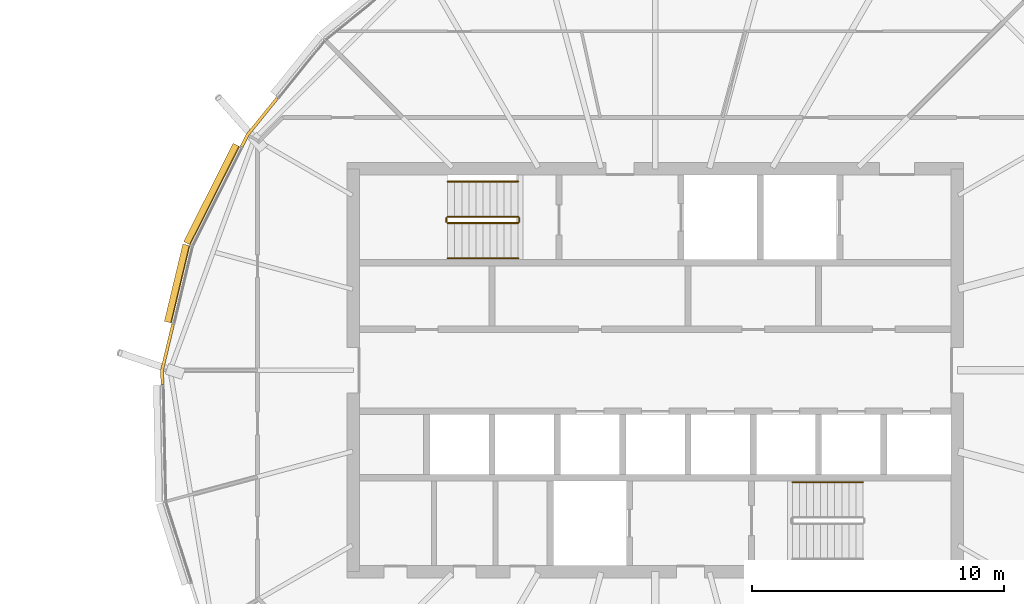
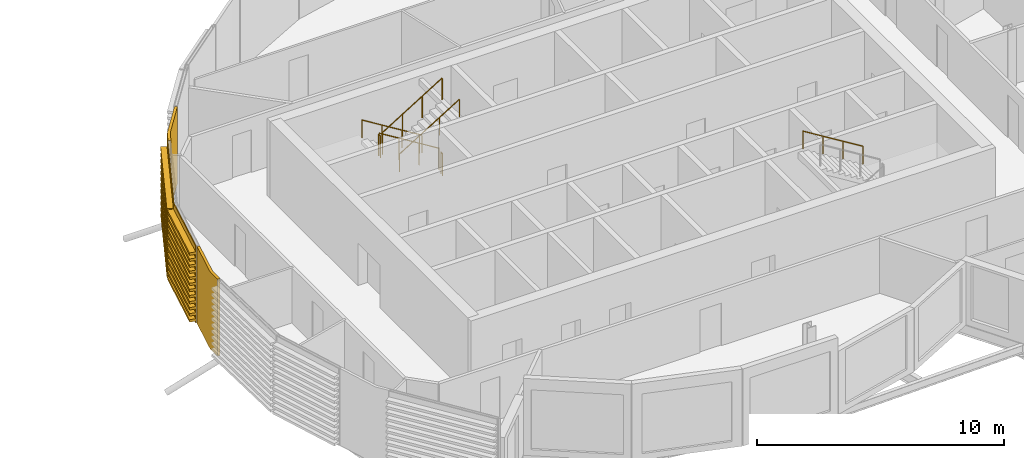
# One storey, part 33 of 35: 7 railings, 4 coverings.
"""IFC4 building model written with IfcOpenShell, lengths in metres."""

from ifc_helpers import new_model, si_unit, direction, frame, origin, origin_2d, place, context, subcontext, project, spatial, polyline, circle, outline, extrude, material, layer, layer_set, material_profile, profile_set, type_object, element, save


model = new_model("IFC4")

# Units and contexts
model_context = context("Model", 3, precision=1e-05, world=origin(), true_north=direction((0.0, 1.0)))
body_context = subcontext(model_context, "Body", "Model", "MODEL_VIEW")
ifc_project = project(units=[si_unit("LENGTHUNIT", "METRE"), si_unit("AREAUNIT", "SQUARE_METRE"), si_unit("VOLUMEUNIT", "CUBIC_METRE"), si_unit("PLANEANGLEUNIT", "RADIAN"), si_unit("MASSUNIT", "GRAM", prefix="KILO")], contexts=[model_context])

# Site, building, storey
site_placement = place(None, origin())
site = spatial("IfcSite", under=ifc_project, at=site_placement, CompositionType="ELEMENT")
building_placement = place(site_placement, origin())
building = spatial("IfcBuilding", under=site, at=building_placement, Name="Rimbun Link Towers", CompositionType="ELEMENT")
storey_placement = place(building_placement, frame((0.0, 0.0, 225.699951171875)))
storey = spatial("IfcBuildingStorey", under=building, at=storey_placement, Name="L55", CompositionType="ELEMENT", Elevation=225.699951171875)

# Coverings
ifc_material_1 = material(Name="Terracotta", Category="masonry")
ifc_layer = layer(ifc_material_1, 0.1201171875)
ifc_layer_set = layer_set([ifc_layer], Name="LINK PIER terracotta cladding 120")
covering_type_1 = type_object("IfcCoveringType", Name="LINK PIER terracotta cladding 120", PredefinedType="CLADDING", material=ifc_layer_set)
covering_1_placement = place(storey_placement, origin())
element("IfcCovering", 1, at=covering_1_placement, inside=storey, type_object=covering_type_1, Name="LINK PIER cladding", PredefinedType="CLADDING", context=body_context, shape_type="SweptSolid", body=[
    extrude(outline(polyline([(15.367431640625, 8.85888671875), (15.600830078125, 9.32373046875), (16.77734375, 10.777099609375), (16.68408203125, 10.852783203125), (15.49951171875, 9.38916015625), (15.26025390625, 8.912841796875), (15.367431640625, 8.85888671875)])), origin(), (0.0, 0.0, 1.0), 3.800048828125),
])
covering_2_placement = place(storey_placement, origin())
element("IfcCovering", 2, at=covering_2_placement, inside=storey, type_object=covering_type_1, Name="LINK PIER cladding", PredefinedType="CLADDING", context=body_context, shape_type="SweptSolid", body=[
    extrude(outline(polyline([(12.224609375, -0.56982421875), (12.212646484375, 0.0), (12.647705078125, 1.818603515625), (12.531005859375, 1.8466796875), (12.09228515625, 0.012939453125), (12.104736328125, -0.572509765625), (12.224609375, -0.56982421875)])), origin(), (0.0, 0.0, 1.0), 3.800048828125),
])

# Railings
ifc_material_2 = material(Name="Stainless steel grade 316", Category="steel")
railing_type_1 = type_object("IfcRailingType", Name="Stair guard", PredefinedType="GUARDRAIL", material=ifc_material_2)
railing_1_placement = place(storey_placement, frame((26.300048828125, 6.10009765625, 0.1728515625)))
element("IfcRailing", 3, at=railing_1_placement, inside=storey, type_object=railing_type_1, Name="L55 ST3 stair guard 1", PredefinedType="GUARDRAIL", context=body_context, shape_type="SweptSolid", body=[
    extrude(circle(Radius=0.02392578125, at=origin_2d()), frame((0.0, 0.0, 1.076171875), z_axis=(-0.851089632645, 0.0, 0.525020415988), x_axis=(0.0, -1.0, 0.0)), (0.0, 0.0, 1.0), 3.2900390625),
    extrude(circle(Radius=0.02099609375, at=origin_2d()), origin(), (0.0, 0.0, 1.0), 1.052001953125),
    extrude(circle(Radius=0.02099609375, at=origin_2d()), frame((-0.933349609375, 0.0, 0.57568359375)), (0.0, 0.0, 1.0), 1.052001953125),
    extrude(circle(Radius=0.02099609375, at=origin_2d()), frame((-1.86669921875, 0.0, 1.151611328125)), (0.0, 0.0, 1.0), 1.052001953125),
    extrude(circle(Radius=0.02099609375, at=origin_2d()), frame((-2.800048828125, 0.0, 1.727294921875)), (0.0, 0.0, 1.0), 1.052001953125),
])
railing_2_placement = place(storey_placement, frame((23.449951171875, 6.050048828125, 1.900146484375)))
element("IfcRailing", 4, at=railing_2_placement, inside=storey, type_object=railing_type_1, Name="L55 ST3 stair guard 2", PredefinedType="GUARDRAIL", context=body_context, shape_type="SweptSolid", body=[
    extrude(circle(Radius=0.02392578125, at=origin_2d()), frame((0.0, 0.0, 1.076171875), z_axis=(0.0, -1.0, 0.0), x_axis=(1.0, 0.0, 0.0)), (0.0, 0.0, 1.0), 0.150146484375),
    extrude(circle(Radius=0.02099609375, at=origin_2d()), origin(), (0.0, 0.0, 1.0), 1.052001953125),
    extrude(circle(Radius=0.02099609375, at=origin_2d()), frame((0.0, -0.150146484375, 0.0)), (0.0, 0.0, 1.0), 1.052001953125),
])
railing_3_placement = place(storey_placement, frame((23.5, 5.85009765625, 2.07275390625)))
element("IfcRailing", 5, at=railing_3_placement, inside=storey, type_object=railing_type_1, Name="L55 ST3 stair guard 3", PredefinedType="GUARDRAIL", context=body_context, shape_type="SweptSolid", body=[
    extrude(circle(Radius=0.02392578125, at=origin_2d()), frame((0.0, 0.0, 1.076171875), z_axis=(0.851089632645, 0.0, 0.525020415988), x_axis=(0.0, 1.0, 0.0)), (0.0, 0.0, 1.0), 3.2900390625),
    extrude(circle(Radius=0.02099609375, at=origin_2d()), origin(), (0.0, 0.0, 1.0), 1.052001953125),
    extrude(circle(Radius=0.02099609375, at=origin_2d()), frame((0.933349609375, 0.0, 0.57568359375)), (0.0, 0.0, 1.0), 1.052001953125),
    extrude(circle(Radius=0.02099609375, at=origin_2d()), frame((1.86669921875, 0.0, 1.151611328125)), (0.0, 0.0, 1.0), 1.052001953125),
    extrude(circle(Radius=0.02099609375, at=origin_2d()), frame((2.800048828125, 0.0, 1.727294921875)), (0.0, 0.0, 1.0), 1.052001953125),
])
railing_4_placement = place(storey_placement, frame((26.35009765625, 6.050048828125, 0.0)))
element("IfcRailing", 6, at=railing_4_placement, inside=storey, type_object=railing_type_1, Name="L55 ST3 stair guard 4", PredefinedType="GUARDRAIL", context=body_context, shape_type="SweptSolid", body=[
    extrude(circle(Radius=0.02392578125, at=origin_2d()), frame((0.0, 0.0, 1.076171875), z_axis=(0.0, -1.0, 0.0), x_axis=(1.0, 0.0, 0.0)), (0.0, 0.0, 1.0), 0.150146484375),
    extrude(circle(Radius=0.02099609375, at=origin_2d()), origin(), (0.0, 0.0, 1.0), 1.052001953125),
    extrude(circle(Radius=0.02099609375, at=origin_2d()), frame((0.0, -0.150146484375, 0.0)), (0.0, 0.0, 1.0), 1.052001953125),
])
ifc_material_3 = material(Name="Stainless steel grade 316", Category="steel")
railing_type_2 = type_object("IfcRailingType", Name="Stair handrail", PredefinedType="HANDRAIL", material=ifc_material_3)
railing_5_placement = place(storey_placement, frame((26.300048828125, 7.5, 0.1728515625)))
element("IfcRailing", 7, at=railing_5_placement, inside=storey, type_object=railing_type_2, Name="L55 ST3 stair handrail 1", PredefinedType="HANDRAIL", context=body_context, shape_type="SweptSolid", body=[
    extrude(circle(Radius=0.02392578125, at=origin_2d()), frame((0.0, 0.0, 0.8759765625), z_axis=(-0.851089632645, 0.0, 0.525020415988), x_axis=(0.0, -1.0, 0.0)), (0.0, 0.0, 1.0), 3.2900390625),
    extrude(circle(Radius=0.02099609375, at=origin_2d()), origin(), (0.0, 0.0, 1.0), 0.851806640625),
    extrude(circle(Radius=0.02099609375, at=origin_2d()), frame((-0.933349609375, 0.0, 0.57568359375)), (0.0, 0.0, 1.0), 0.851806640625),
    extrude(circle(Radius=0.02099609375, at=origin_2d()), frame((-1.86669921875, 0.0, 1.151611328125)), (0.0, 0.0, 1.0), 0.851806640625),
    extrude(circle(Radius=0.02099609375, at=origin_2d()), frame((-2.800048828125, 0.0, 1.727294921875)), (0.0, 0.0, 1.0), 0.851806640625),
])
railing_6_placement = place(storey_placement, frame((23.5, 4.449951171875, 2.07275390625)))
element("IfcRailing", 8, at=railing_6_placement, inside=storey, type_object=railing_type_2, Name="L55 ST3 stair handrail 2", PredefinedType="HANDRAIL", context=body_context, shape_type="SweptSolid", body=[
    extrude(circle(Radius=0.02392578125, at=origin_2d()), frame((0.0, 0.0, 0.8759765625), z_axis=(0.851089632645, 0.0, 0.525020415988), x_axis=(0.0, 1.0, 0.0)), (0.0, 0.0, 1.0), 3.2900390625),
    extrude(circle(Radius=0.02099609375, at=origin_2d()), origin(), (0.0, 0.0, 1.0), 0.851806640625),
    extrude(circle(Radius=0.02099609375, at=origin_2d()), frame((0.933349609375, 0.0, 0.57568359375)), (0.0, 0.0, 1.0), 0.851806640625),
    extrude(circle(Radius=0.02099609375, at=origin_2d()), frame((1.86669921875, 0.0, 1.151611328125)), (0.0, 0.0, 1.0), 0.851806640625),
    extrude(circle(Radius=0.02099609375, at=origin_2d()), frame((2.800048828125, 0.0, 1.727294921875)), (0.0, 0.0, 1.0), 0.851806640625),
])
railing_7_placement = place(storey_placement, frame((40.0, -4.449951171875, 2.07275390625)))
element("IfcRailing", 9, at=railing_7_placement, inside=storey, type_object=railing_type_2, Name="L55 ST4 stair handrail 2", PredefinedType="HANDRAIL", context=body_context, shape_type="SweptSolid", body=[
    extrude(circle(Radius=0.02392578125, at=origin_2d()), frame((0.0, 0.0, 0.8759765625), z_axis=(-0.851089632645, 0.0, 0.525020415988), x_axis=(0.0, -1.0, 0.0)), (0.0, 0.0, 1.0), 3.2900390625),
    extrude(circle(Radius=0.02099609375, at=origin_2d()), origin(), (0.0, 0.0, 1.0), 0.851806640625),
    extrude(circle(Radius=0.02099609375, at=origin_2d()), frame((-0.933349609375, 0.0, 0.57568359375)), (0.0, 0.0, 1.0), 0.851806640625),
    extrude(circle(Radius=0.02099609375, at=origin_2d()), frame((-1.86669921875, 0.0, 1.151611328125)), (0.0, 0.0, 1.0), 0.851806640625),
    extrude(circle(Radius=0.02099609375, at=origin_2d()), frame((-2.800048828125, 0.0, 1.727294921875)), (0.0, 0.0, 1.0), 0.851806640625),
])

# Coverings
ifc_material_4 = material(Name="Terracotta", Category="masonry")
ifc_material_profile = material_profile(ifc_material_4, outline(polyline([(0.123046875, 0.0), (0.1630859375, 0.0), (0.1630859375, 0.10009765625), (0.423095703125, 0.10009765625), (0.423095703125, 0.219970703125), (0.1630859375, 0.219970703125), (0.1630859375, 0.39990234375), (0.423095703125, 0.39990234375), (0.423095703125, 0.52001953125), (0.1630859375, 0.52001953125), (0.1630859375, 0.699951171875), (0.423095703125, 0.699951171875), (0.423095703125, 0.820068359375), (0.1630859375, 0.820068359375), (0.1630859375, 1.0), (0.423095703125, 1.0), (0.423095703125, 1.1201171875), (0.1630859375, 1.1201171875), (0.1630859375, 1.300048828125), (0.423095703125, 1.300048828125), (0.423095703125, 1.419921875), (0.1630859375, 1.419921875), (0.1630859375, 1.60009765625), (0.423095703125, 1.60009765625), (0.423095703125, 1.719970703125), (0.1630859375, 1.719970703125), (0.1630859375, 1.89990234375), (0.423095703125, 1.89990234375), (0.423095703125, 2.02001953125), (0.1630859375, 2.02001953125), (0.1630859375, 2.199951171875), (0.423095703125, 2.199951171875), (0.423095703125, 2.320068359375), (0.1630859375, 2.320068359375), (0.1630859375, 2.5), (0.423095703125, 2.5), (0.423095703125, 2.6201171875), (0.1630859375, 2.6201171875), (0.1630859375, 2.800048828125), (0.423095703125, 2.800048828125), (0.423095703125, 2.919921875), (0.1630859375, 2.919921875), (0.1630859375, 3.10009765625), (0.423095703125, 3.10009765625), (0.423095703125, 3.219970703125), (0.1630859375, 3.219970703125), (0.1630859375, 3.39990234375), (0.423095703125, 3.39990234375), (0.423095703125, 3.52001953125), (0.1630859375, 3.52001953125), (0.1630859375, 3.800048828125), (0.123046875, 3.800048828125), (0.123046875, 0.0)])), Name="BAGUETTE 120X300")
ifc_profile_set = profile_set([ifc_material_profile], Name="Terracotta")
covering_type_2 = type_object("IfcCoveringType", Name="TERRACOTTA BAGUETTE 120X300 H3800", PredefinedType="CLADDING", material=ifc_profile_set)
covering_3_placement = place(storey_placement, frame((13.389404296875, 4.919677734375, 0.0), z_axis=(0.448729722497, 0.893667519913, 0.0), x_axis=(-0.893667519913, 0.448729722497, 0.0)))
element("IfcCovering", 10, at=covering_3_placement, inside=storey, type_object=covering_type_2, Name="TERRACOTTA BAGUETTE", PredefinedType="CLADDING", context=body_context, shape_type="SweptSolid", body=[
    extrude(outline(polyline([(0.123046875, 0.0), (0.1630859375, 0.0), (0.1630859375, 0.10009765625), (0.423095703125, 0.10009765625), (0.423095703125, 0.219970703125), (0.1630859375, 0.219970703125), (0.1630859375, 0.39990234375), (0.423095703125, 0.39990234375), (0.423095703125, 0.52001953125), (0.1630859375, 0.52001953125), (0.1630859375, 0.699951171875), (0.423095703125, 0.699951171875), (0.423095703125, 0.820068359375), (0.1630859375, 0.820068359375), (0.1630859375, 1.0), (0.423095703125, 1.0), (0.423095703125, 1.1201171875), (0.1630859375, 1.1201171875), (0.1630859375, 1.300048828125), (0.423095703125, 1.300048828125), (0.423095703125, 1.419921875), (0.1630859375, 1.419921875), (0.1630859375, 1.60009765625), (0.423095703125, 1.60009765625), (0.423095703125, 1.719970703125), (0.1630859375, 1.719970703125), (0.1630859375, 1.89990234375), (0.423095703125, 1.89990234375), (0.423095703125, 2.02001953125), (0.1630859375, 2.02001953125), (0.1630859375, 2.199951171875), (0.423095703125, 2.199951171875), (0.423095703125, 2.320068359375), (0.1630859375, 2.320068359375), (0.1630859375, 2.5), (0.423095703125, 2.5), (0.423095703125, 2.6201171875), (0.1630859375, 2.6201171875), (0.1630859375, 2.800048828125), (0.423095703125, 2.800048828125), (0.423095703125, 2.919921875), (0.1630859375, 2.919921875), (0.1630859375, 3.10009765625), (0.423095703125, 3.10009765625), (0.423095703125, 3.219970703125), (0.1630859375, 3.219970703125), (0.1630859375, 3.39990234375), (0.423095703125, 3.39990234375), (0.423095703125, 3.52001953125), (0.1630859375, 3.52001953125), (0.1630859375, 3.800048828125), (0.123046875, 3.800048828125), (0.123046875, 0.0)])), origin(), (0.0, 0.0, 1.0), 4.378173828125),
])
covering_4_placement = place(storey_placement, frame((12.654541015625, 1.847900390625, 0.0), z_axis=(0.232665402461, 0.972556841782, 0.0), x_axis=(-0.972556841782, 0.232665402461, 0.0)))
element("IfcCovering", 11, at=covering_4_placement, inside=storey, type_object=covering_type_2, Name="TERRACOTTA BAGUETTE", PredefinedType="CLADDING", context=body_context, shape_type="SweptSolid", body=[
    extrude(outline(polyline([(0.123046875, 0.0), (0.1630859375, 0.0), (0.1630859375, 0.10009765625), (0.423095703125, 0.10009765625), (0.423095703125, 0.219970703125), (0.1630859375, 0.219970703125), (0.1630859375, 0.39990234375), (0.423095703125, 0.39990234375), (0.423095703125, 0.52001953125), (0.1630859375, 0.52001953125), (0.1630859375, 0.699951171875), (0.423095703125, 0.699951171875), (0.423095703125, 0.820068359375), (0.1630859375, 0.820068359375), (0.1630859375, 1.0), (0.423095703125, 1.0), (0.423095703125, 1.1201171875), (0.1630859375, 1.1201171875), (0.1630859375, 1.300048828125), (0.423095703125, 1.300048828125), (0.423095703125, 1.419921875), (0.1630859375, 1.419921875), (0.1630859375, 1.60009765625), (0.423095703125, 1.60009765625), (0.423095703125, 1.719970703125), (0.1630859375, 1.719970703125), (0.1630859375, 1.89990234375), (0.423095703125, 1.89990234375), (0.423095703125, 2.02001953125), (0.1630859375, 2.02001953125), (0.1630859375, 2.199951171875), (0.423095703125, 2.199951171875), (0.423095703125, 2.320068359375), (0.1630859375, 2.320068359375), (0.1630859375, 2.5), (0.423095703125, 2.5), (0.423095703125, 2.6201171875), (0.1630859375, 2.6201171875), (0.1630859375, 2.800048828125), (0.423095703125, 2.800048828125), (0.423095703125, 2.919921875), (0.1630859375, 2.919921875), (0.1630859375, 3.10009765625), (0.423095703125, 3.10009765625), (0.423095703125, 3.219970703125), (0.1630859375, 3.219970703125), (0.1630859375, 3.39990234375), (0.423095703125, 3.39990234375), (0.423095703125, 3.52001953125), (0.1630859375, 3.52001953125), (0.1630859375, 3.800048828125), (0.123046875, 3.800048828125), (0.123046875, 0.0)])), origin(), (0.0, 0.0, 1.0), 3.158447265625),
])

save(model, "model.ifc")
